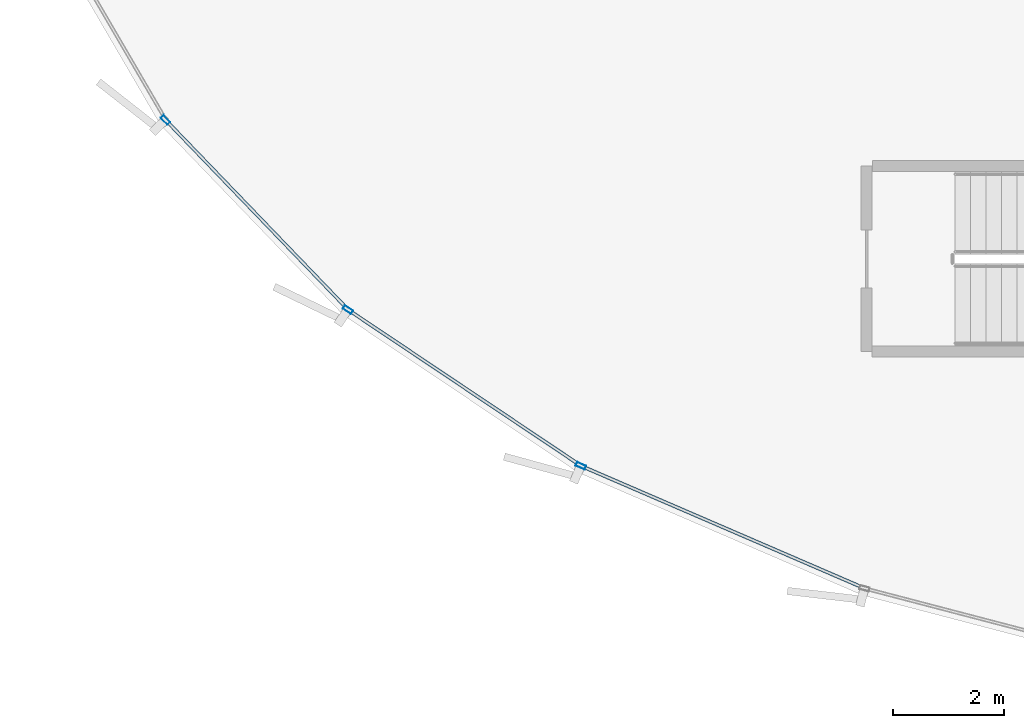
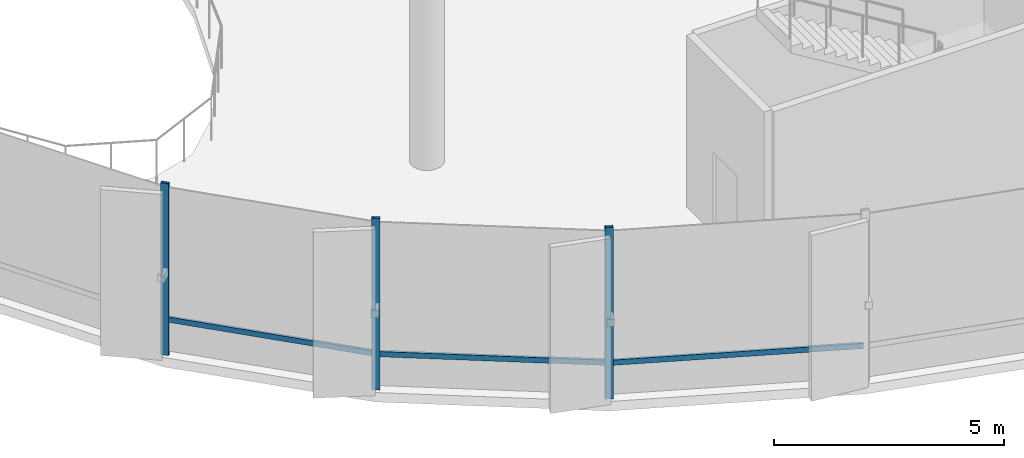
# One storey, part 2 of 34: 6 members, 1 element without a shape of its own.
"""IFC4 building model written with IfcOpenShell, lengths in metres."""

from ifc_helpers import new_model, si_unit, direction, frame, origin, origin_2d, place, context, subcontext, project, spatial, hollow_rectangle, extrude, source, transform, mapped, material, layer, layer_set, material_profile, profile_set, type_object, element, aggregate, save


model = new_model("IFC4")

# Units and contexts
model_context = context("Model", 3, precision=1e-05, world=origin(), true_north=direction((0.0, 1.0)))
body_context = subcontext(model_context, "Body", "Model", "MODEL_VIEW")
ifc_project = project(units=[si_unit("LENGTHUNIT", "METRE"), si_unit("AREAUNIT", "SQUARE_METRE"), si_unit("VOLUMEUNIT", "CUBIC_METRE"), si_unit("PLANEANGLEUNIT", "RADIAN"), si_unit("MASSUNIT", "GRAM", prefix="KILO"), si_unit("THERMODYNAMICTEMPERATUREUNIT", "KELVIN")], contexts=[model_context])

# Site, building, storey
site_placement = place(None, origin())
site = spatial("IfcSite", under=ifc_project, at=site_placement, CompositionType="ELEMENT")
building_placement = place(site_placement, origin())
building = spatial("IfcBuilding", under=site, at=building_placement, Name="Kethvar Cultural Tower", CompositionType="ELEMENT")
storey_placement = place(building_placement, frame((0.0, 0.0, 5.199951171875)))
storey = spatial("IfcBuildingStorey", under=building, at=storey_placement, Name="L01", CompositionType="ELEMENT", Elevation=5.199951171875)

# Curtain wall, members
ifc_material = material(Name="Aluminium 6063-T6", Category="aluminium")
ifc_layer = layer(ifc_material, 0.179931640625, Name="Aluminium 6063-T6", Category="aluminium")
ifc_layer_set = layer_set([ifc_layer], Name="Aluminium 6063-T6 (180 mm)")
curtain_wall_type = type_object("IfcCurtainWallType", Name="CW-SYS-01-POD", PredefinedType="NOTDEFINED", material=ifc_layer_set)
curtain_wall_placement = place(storey_placement, origin())
curtain_wall = element("IfcCurtainWall", 1, at=curtain_wall_placement, inside=storey, type_object=curtain_wall_type, Name="L01 Curtain Wall Run 04", PredefinedType="NOTDEFINED")
ifc_material_profile_1 = material_profile(ifc_material, hollow_rectangle(XDim=0.06005859375, YDim=0.139892578125, WallThickness=0.0048828125, at=origin_2d()), Name="Aluminium 6063-T6 — RHS140x60x5")
ifc_profile_set_1 = profile_set([ifc_material_profile_1], Name="Aluminium 6063-T6 — RHS140x60x5")
member_type_1 = type_object("IfcMemberType", Name="CW-SYS-01-POD-TRN", PredefinedType="USERDEFINED", material=ifc_profile_set_1)
shared_shape_1 = source(origin(), body_context, "Body", "SweptSolid", [
    extrude(hollow_rectangle(XDim=0.06005859375, YDim=0.139892578125, WallThickness=0.0048828125, at=origin_2d()), origin(), (0.0, 0.0, 1.0), 4.6826171875),
])
member_1_placement = place(storey_placement, frame((5.24658203125, 11.657470703125, 0.949951171875), z_axis=(0.693341040309, -0.72060960431, 0.0), x_axis=(0.72060960431, 0.693341040309, 0.0)))
member_1 = element("IfcMember", 2, at=member_1_placement, type_object=member_type_1, Name="CW-L01-R04 Transom 2", ObjectType="TRANSOM", PredefinedType="USERDEFINED", context=body_context, shape_type="MappedRepresentation", body=[
    mapped(shared_shape_1, transform((0.0, 0.0, 0.0), scale=1.0)),
])
shared_shape_2 = source(origin(), body_context, "Body", "SweptSolid", [
    extrude(hollow_rectangle(XDim=0.06005859375, YDim=0.139892578125, WallThickness=0.0048828125, at=origin_2d()), origin(), (0.0, 0.0, 1.0), 4.991455078125),
])
member_2_placement = place(storey_placement, frame((8.55419921875, 8.232177734375, 0.949951171875), z_axis=(0.830806616573, -0.556561196867, 0.0), x_axis=(0.556561196867, 0.830806616573, 0.0)))
member_2 = element("IfcMember", 3, at=member_2_placement, type_object=member_type_1, Name="CW-L01-R04 Transom 3", ObjectType="TRANSOM", PredefinedType="USERDEFINED", context=body_context, shape_type="MappedRepresentation", body=[
    mapped(shared_shape_2, transform((0.0, 0.0, 0.0), scale=1.0)),
])
shared_shape_3 = source(origin(), body_context, "Body", "SweptSolid", [
    extrude(hollow_rectangle(XDim=0.06005859375, YDim=0.139892578125, WallThickness=0.0048828125, at=origin_2d()), origin(), (0.0, 0.0, 1.0), 5.504638671875),
])
member_3_placement = place(storey_placement, frame((12.77490234375, 5.413818359375, 0.949951171875), z_axis=(0.918072625283, -0.39641222825, 0.0), x_axis=(0.39641222825, 0.918072625283, 0.0)))
member_3 = element("IfcMember", 4, at=member_3_placement, type_object=member_type_1, Name="CW-L01-R04 Transom 4", ObjectType="TRANSOM", PredefinedType="USERDEFINED", context=body_context, shape_type="MappedRepresentation", body=[
    mapped(shared_shape_3, transform((0.0, 0.0, 0.0), scale=1.0)),
])
ifc_material_profile_2 = material_profile(ifc_material, hollow_rectangle(XDim=0.074951171875, YDim=0.179931640625, WallThickness=0.006103515625, at=origin_2d()), Name="Aluminium 6063-T6 — RHS180x75x6")
ifc_profile_set_2 = profile_set([ifc_material_profile_2], Name="Aluminium 6063-T6 — RHS180x75x6")
member_type_2 = type_object("IfcMemberType", Name="CW-SYS-01-POD-MUL", PredefinedType="MULLION", material=ifc_profile_set_2)
shared_shape_4 = source(origin(), body_context, "Body", "SweptSolid", [
    extrude(hollow_rectangle(XDim=0.074951171875, YDim=0.179931640625, WallThickness=0.006103515625, at=origin_2d()), origin(), (0.0, 0.0, 1.0), 4.550048828125),
])
member_4_placement = place(storey_placement, frame((5.209228515625, 11.6962890625, 0.0), z_axis=(0.0, 0.0, 1.0), x_axis=(0.720611619661, 0.693338945689, 0.0)))
member_4 = element("IfcMember", 5, at=member_4_placement, type_object=member_type_2, Name="CW-L01-R04 Mullion 2", PredefinedType="MULLION", context=body_context, shape_type="MappedRepresentation", body=[
    mapped(shared_shape_4, transform((0.0, 0.0, 0.0), scale=1.0)),
])
member_5_placement = place(storey_placement, frame((8.50927734375, 8.26220703125, 0.0), z_axis=(0.0, 0.0, 1.0), x_axis=(0.556556649514, 0.830809662848, 0.0)))
member_5 = element("IfcMember", 6, at=member_5_placement, type_object=member_type_2, Name="CW-L01-R04 Mullion 3", PredefinedType="MULLION", context=body_context, shape_type="MappedRepresentation", body=[
    mapped(shared_shape_4, transform((0.0, 0.0, 0.0), scale=1.0)),
])
member_6_placement = place(storey_placement, frame((12.72509765625, 5.435302734375, 0.0), z_axis=(0.0, 0.0, 1.0), x_axis=(0.396410942082, 0.918073180633, 0.0)))
member_6 = element("IfcMember", 7, at=member_6_placement, type_object=member_type_2, Name="CW-L01-R04 Mullion 4", PredefinedType="MULLION", context=body_context, shape_type="MappedRepresentation", body=[
    mapped(shared_shape_4, transform((0.0, 0.0, 0.0), scale=1.0)),
])
aggregate(curtain_wall, [member_4, member_5, member_6, member_1, member_2, member_3])

save(model, "model.ifc")
